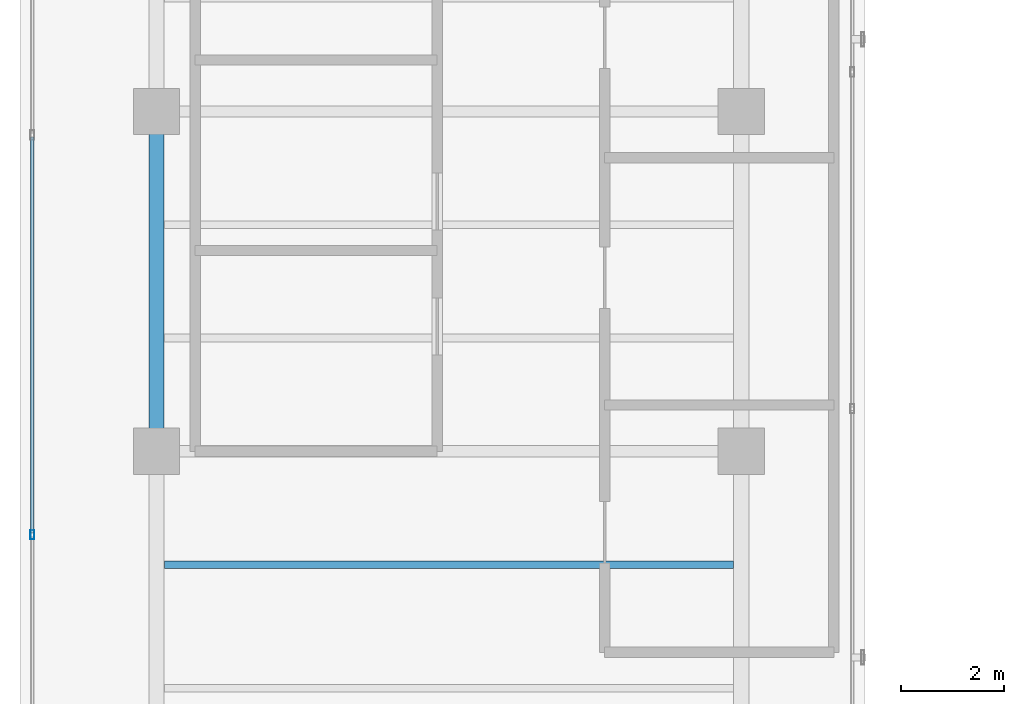
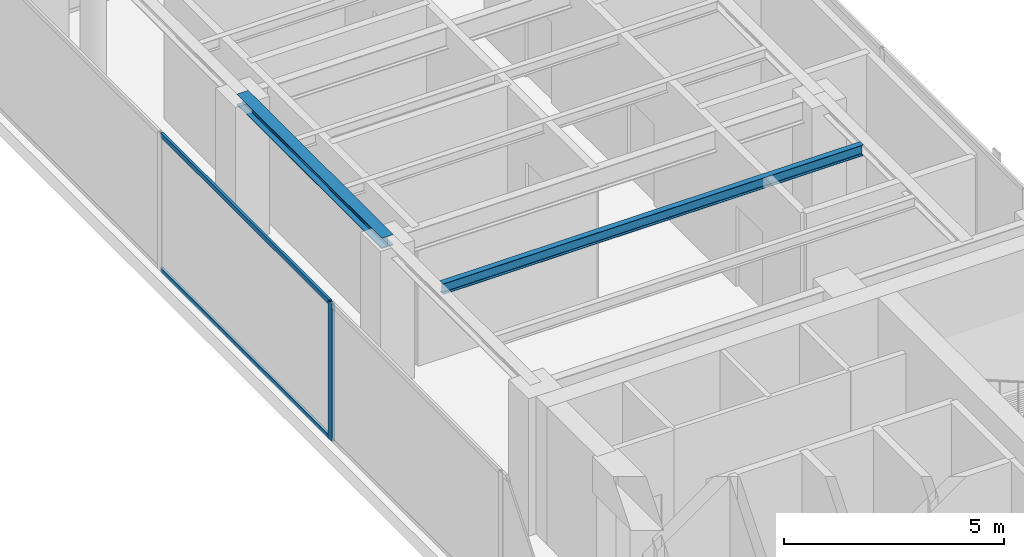
# One storey, part 10 of 24: 3 members, 2 beams, 1 element without a shape of its own.
"""IFC4 building model written with IfcOpenShell, lengths in metres."""

from ifc_helpers import new_model, si_unit, direction, frame, origin, origin_with_axes, origin_2d, place, context, subcontext, project, spatial, hollow_rectangle, i_section, extrude, source, transform, mapped, material, layer, layer_set, material_profile, profile_set, type_object, element, aggregate, save


model = new_model("IFC4")

# Units and contexts
model_context = context("Model", 3, precision=1e-05, world=origin(), true_north=direction((0.0, 1.0)))
body_context = subcontext(model_context, "Body", "Model", "MODEL_VIEW")
ifc_project = project(units=[si_unit("LENGTHUNIT", "METRE"), si_unit("AREAUNIT", "SQUARE_METRE"), si_unit("VOLUMEUNIT", "CUBIC_METRE"), si_unit("PLANEANGLEUNIT", "RADIAN"), si_unit("MASSUNIT", "GRAM", prefix="KILO")], contexts=[model_context])

# Site, building, storey
site_placement = place(None, origin())
site = spatial("IfcSite", under=ifc_project, at=site_placement, CompositionType="ELEMENT")
building_placement = place(site_placement, origin())
building = spatial("IfcBuilding", under=site, at=building_placement, Name="Kolvaren Waterfront Exchange", CompositionType="ELEMENT")
storey_placement = place(building_placement, frame((0.0, 0.0, 356.199951171875)))
storey = spatial("IfcBuildingStorey", under=building, at=storey_placement, Name="L91", CompositionType="ELEMENT", Elevation=356.199951171875)

# Beams
ifc_material_1 = material(Name="Steel S355", Category="steel")
ifc_material_profile_1 = material_profile(ifc_material_1, i_section(OverallWidth=0.300048828125, OverallDepth=0.300048828125, WebThickness=0.010986328125, FlangeThickness=0.01904296875, FilletRadius=0.027099609375, at=origin_2d()), Name="HEB300")
ifc_profile_set_1 = profile_set([ifc_material_profile_1], Name="Steel S355")
beam_type_1 = type_object("IfcBeamType", Name="STR-BM-HEB300", PredefinedType="SPANDREL", material=ifc_profile_set_1)
beam_1_placement = place(storey_placement, frame((7.449951171875, 31.199951171875, 3.670166015625), z_axis=(0.0, 1.0, 0.0), x_axis=(-1.0, 0.0, 0.0)))
element("IfcBeam", 1, at=beam_1_placement, inside=storey, type_object=beam_type_1, Name="L91 north-arm edge beam 2", PredefinedType="SPANDREL", context=body_context, shape_type="SweptSolid", body=[
    extrude(i_section(OverallWidth=0.300048828125, OverallDepth=0.300048828125, WebThickness=0.010986328125, FlangeThickness=0.01904296875, FilletRadius=0.027099609375, at=origin_2d()), origin(), (0.0, 0.0, 1.0), 6.60009765625),
])
ifc_material_profile_2 = material_profile(ifc_material_1, i_section(OverallWidth=0.14990234375, OverallDepth=0.300048828125, WebThickness=0.007080078125, FlangeThickness=0.0107421875, FilletRadius=0.014892578125, at=origin_2d()), Name="IPE300")
ifc_profile_set_2 = profile_set([ifc_material_profile_2], Name="Steel S355")
beam_type_2 = type_object("IfcBeamType", Name="STR-BM-IPE300", PredefinedType="JOIST", material=ifc_profile_set_2)
beam_2_placement = place(storey_placement, frame((7.60205078125, 29.0, 3.670166015625), z_axis=(1.0, 0.0, 0.0), x_axis=(0.0, 1.0, 0.0)))
element("IfcBeam", 2, at=beam_2_placement, inside=storey, type_object=beam_type_2, Name="L91 north-arm composite joist 2", PredefinedType="JOIST", context=body_context, shape_type="SweptSolid", body=[
    extrude(i_section(OverallWidth=0.14990234375, OverallDepth=0.300048828125, WebThickness=0.007080078125, FlangeThickness=0.0107421875, FilletRadius=0.014892578125, at=origin_2d()), origin(), (0.0, 0.0, 1.0), 11.0458984375),
])

# Curtain wall, members
ifc_material_2 = material(Name="Anodised dark bronze spandrel aluminium", Category="aluminium")
ifc_layer = layer(ifc_material_2, 0.219970703125, Name="Anodised dark bronze spandrel aluminium")
ifc_layer_set = layer_set([ifc_layer], Name="Anodised dark bronze spandrel aluminium")
curtain_wall_type = type_object("IfcCurtainWallType", Name="ARC-CW-SYS6", PredefinedType="USERDEFINED", material=ifc_layer_set)
curtain_wall_placement = place(storey_placement, origin())
curtain_wall = element("IfcCurtainWall", 3, at=curtain_wall_placement, inside=storey, type_object=curtain_wall_type, Name="L91 stick curtain wall CW6 (CW-L91-W)", ObjectType="STICK CURTAIN WALL", PredefinedType="USERDEFINED")
ifc_material_3 = material(Name="Anodised bronze aluminium 6063-T6", Category="aluminium")
ifc_material_profile_3 = material_profile(ifc_material_3, hollow_rectangle(XDim=0.074951171875, YDim=0.179931640625, WallThickness=0.00439453125, at=origin_2d()), Name="ALU-MUL-180x75x4.5")
ifc_profile_set_3 = profile_set([ifc_material_profile_3], Name="Anodised bronze aluminium 6063-T6")
member_type_1 = type_object("IfcMemberType", Name="ARC-CWM-180", PredefinedType="MULLION", material=ifc_profile_set_3)
shared_shape_1 = source(origin_with_axes(), body_context, "Body", "SweptSolid", [
    extrude(hollow_rectangle(XDim=0.074951171875, YDim=0.179931640625, WallThickness=0.00439453125, at=origin_2d()), origin(), (0.0, 0.0, 1.0), 3.820068359375),
])
member_1_placement = place(storey_placement, frame((5.0400390625, 29.580078125, 0.0), z_axis=(0.0, 0.0, 1.0), x_axis=(-1.0, 0.0, 0.0)))
member_1 = element("IfcMember", 4, at=member_1_placement, type_object=member_type_1, Name="CW6 mullion 4", PredefinedType="MULLION", context=body_context, shape_type="MappedRepresentation", body=[
    mapped(shared_shape_1, transform((0.0, 0.0, 0.0), x_axis=(1.0, 0.0, 0.0), y_axis=(0.0, 1.0, 0.0), z_axis=(0.0, 0.0, 1.0), scale=1.0)),
])
ifc_material_profile_4 = material_profile(ifc_material_3, hollow_rectangle(XDim=0.06494140625, YDim=0.1298828125, WallThickness=0.00390625, at=origin_2d()), Name="ALU-TRN-130x65x4")
ifc_profile_set_4 = profile_set([ifc_material_profile_4], Name="Anodised bronze aluminium 6063-T6")
member_type_2 = type_object("IfcMemberType", Name="ARC-CWT-130", PredefinedType="USERDEFINED", material=ifc_profile_set_4)
shared_shape_2 = source(origin_with_axes(), body_context, "Body", "SweptSolid", [
    extrude(hollow_rectangle(XDim=0.06494140625, YDim=0.1298828125, WallThickness=0.00390625, at=origin_2d()), origin(), (0.0, 0.0, 1.0), 7.68505859375),
])
member_2_placement = place(storey_placement, frame((5.0400390625, 29.617431640625, 0.032470703125), z_axis=(0.0, 1.0, 0.0), x_axis=(-1.0, 0.0, 0.0)))
member_2 = element("IfcMember", 5, at=member_2_placement, type_object=member_type_2, Name="CW6 transom 4.1", ObjectType="TRANSOM", PredefinedType="USERDEFINED", context=body_context, shape_type="MappedRepresentation", body=[
    mapped(shared_shape_2, transform((0.0, 0.0, 0.0), x_axis=(1.0, 0.0, 0.0), y_axis=(0.0, 1.0, 0.0), z_axis=(0.0, 0.0, 1.0), scale=1.0)),
])
member_3_placement = place(storey_placement, frame((5.0400390625, 29.617431640625, 3.78759765625), z_axis=(0.0, 1.0, 0.0), x_axis=(-1.0, 0.0, 0.0)))
member_3 = element("IfcMember", 6, at=member_3_placement, type_object=member_type_2, Name="CW6 transom 4.2", ObjectType="TRANSOM", PredefinedType="USERDEFINED", context=body_context, shape_type="MappedRepresentation", body=[
    mapped(shared_shape_2, transform((0.0, 0.0, 0.0), x_axis=(1.0, 0.0, 0.0), y_axis=(0.0, 1.0, 0.0), z_axis=(0.0, 0.0, 1.0), scale=1.0)),
])
aggregate(curtain_wall, [member_1, member_2, member_3])

save(model, "model.ifc")
